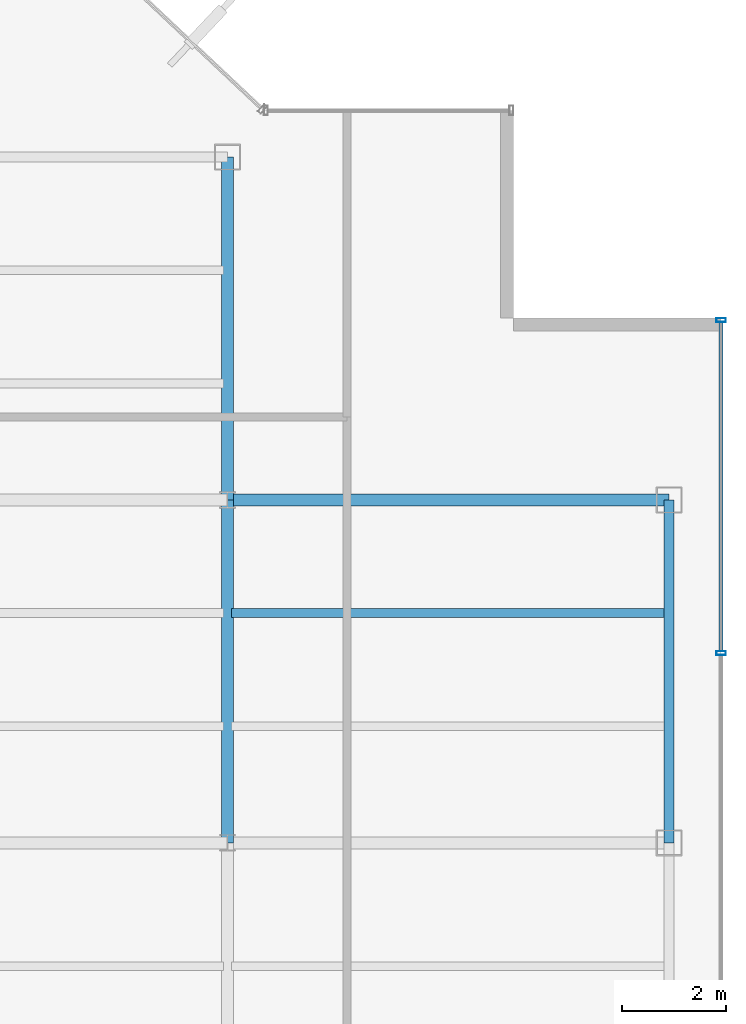
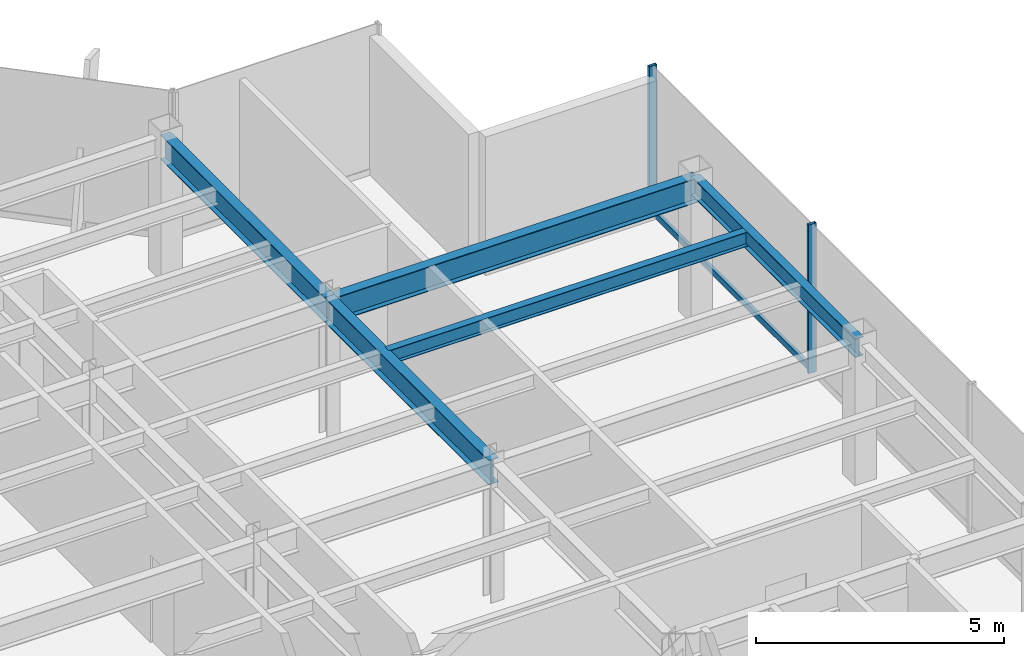
# One storey, part 11 of 22: 5 beams, 3 members, 1 element without a shape of its own.
"""IFC4 building model written with IfcOpenShell, lengths in metres."""

from ifc_helpers import new_model, si_unit, derived_unit, direction, frame, origin, origin_2d, place, context, subcontext, project, spatial, hollow_rectangle, i_section, extrude, source, transform, mapped, material, material_profile, profile_set, type_object, element, aggregate, save


model = new_model("IFC4")

# Units and contexts
model_context = context("Model", 3, precision=1e-05, world=origin(), true_north=direction((0.0, 1.0)))
body_context = subcontext(model_context, "Body", "Model", "MODEL_VIEW")
ifc_project = project(units=[si_unit("LENGTHUNIT", "METRE"), si_unit("AREAUNIT", "SQUARE_METRE"), si_unit("VOLUMEUNIT", "CUBIC_METRE"), si_unit("PLANEANGLEUNIT", "RADIAN"), si_unit("MASSUNIT", "GRAM", prefix="KILO"), derived_unit("THERMALTRANSMITTANCEUNIT", [(si_unit("POWERUNIT", "WATT"), 1), (si_unit("LENGTHUNIT", "METRE"), -2), (si_unit("THERMODYNAMICTEMPERATUREUNIT", "KELVIN"), -1)])], contexts=[model_context])

# Site, building, storey
site_placement = place(None, origin())
site = spatial("IfcSite", under=ifc_project, at=site_placement, CompositionType="ELEMENT")
building_placement = place(site_placement, origin())
building = spatial("IfcBuilding", under=site, at=building_placement, Name="Skarnbrae Concourse Arena and Tower", CompositionType="ELEMENT")
storey_placement = place(building_placement, frame((0.0, 0.0, 203.199951171875)))
storey = spatial("IfcBuildingStorey", under=building, at=storey_placement, Name="L52", CompositionType="ELEMENT", Elevation=203.199951171875)

# Beams
ifc_material_1 = material(Name="Steel CSA G40.21 350W", Category="steel")
ifc_material_profile_1 = material_profile(ifc_material_1, i_section(OverallWidth=0.22802734375, OverallDepth=0.60791015625, WebThickness=0.01123046875, FlangeThickness=0.017333984375, at=origin_2d()), Name="W610X113")
ifc_profile_set_1 = profile_set([ifc_material_profile_1], Name="Steel CSA G40.21 350W")
beam_type_1 = type_object("IfcBeamType", Name="BM-GIRD-W610X113", PredefinedType="BEAM", material=ifc_profile_set_1)
shared_shape_1 = source(origin(), body_context, "Body", "SweptSolid", [
    extrude(i_section(OverallWidth=0.22802734375, OverallDepth=0.60791015625, WebThickness=0.01123046875, FlangeThickness=0.017333984375, at=origin_2d()), origin(), (0.0, 0.0, 1.0), 6.60009765625),
])
beam_1_placement = place(storey_placement, frame((33.5, 21.199951171875, 3.095947265625), z_axis=(0.0, 1.0, 0.0), x_axis=(-1.0, 0.0, 0.0)))
element("IfcBeam", 1, at=beam_1_placement, inside=storey, type_object=beam_type_1, Name="L52 Primary N-S girder X33.5-2", PredefinedType="BEAM", context=body_context, shape_type="MappedRepresentation", body=[
    mapped(shared_shape_1, transform((0.0, 0.0, 0.0))),
])
shared_shape_2 = source(origin(), body_context, "Body", "SweptSolid", [
    extrude(i_section(OverallWidth=0.22802734375, OverallDepth=0.60791015625, WebThickness=0.01123046875, FlangeThickness=0.017333984375, at=origin_2d()), origin(), (0.0, 0.0, 1.0), 8.5),
])
beam_2_placement = place(storey_placement, frame((33.5, 27.800048828125, 3.095947265625), z_axis=(1.0, 0.0, 0.0), x_axis=(0.0, 1.0, 0.0)))
element("IfcBeam", 2, at=beam_2_placement, inside=storey, type_object=beam_type_1, Name="L52 Primary E-W girder Y27.8-6", PredefinedType="BEAM", context=body_context, shape_type="MappedRepresentation", body=[
    mapped(shared_shape_2, transform((0.0, 0.0, 0.0))),
])
ifc_material_profile_2 = material_profile(ifc_material_1, i_section(OverallWidth=0.19091796875, OverallDepth=0.4599609375, WebThickness=0.010009765625, FlangeThickness=0.01611328125, at=origin_2d()), Name="W460X82")
ifc_profile_set_2 = profile_set([ifc_material_profile_2], Name="Steel CSA G40.21 350W")
beam_type_2 = type_object("IfcBeamType", Name="BM-SPAN-W460X82", PredefinedType="SPANDREL", material=ifc_profile_set_2)
shared_shape_3 = source(origin(), body_context, "Body", "SweptSolid", [
    extrude(i_section(OverallWidth=0.19091796875, OverallDepth=0.4599609375, WebThickness=0.010009765625, FlangeThickness=0.01611328125, at=origin_2d()), origin(), (0.0, 0.0, 1.0), 6.60009765625),
])
beam_3_placement = place(storey_placement, frame((42.0, 21.199951171875, 3.170166015625), z_axis=(0.0, 1.0, 0.0), x_axis=(-1.0, 0.0, 0.0)))
element("IfcBeam", 3, at=beam_3_placement, inside=storey, type_object=beam_type_2, Name="L52 Perimeter spandrel X42.0-3", PredefinedType="SPANDREL", context=body_context, shape_type="MappedRepresentation", body=[
    mapped(shared_shape_3, transform((0.0, 0.0, 0.0))),
])
shared_shape_4 = source(origin(), body_context, "Body", "SweptSolid", [
    extrude(i_section(OverallWidth=0.22802734375, OverallDepth=0.60791015625, WebThickness=0.01123046875, FlangeThickness=0.017333984375, at=origin_2d()), origin(), (0.0, 0.0, 1.0), 6.599853515625),
])
beam_4_placement = place(storey_placement, frame((33.5, 27.800048828125, 3.095947265625), z_axis=(0.0, 1.0, 0.0), x_axis=(-1.0, 0.0, 0.0)))
element("IfcBeam", 4, at=beam_4_placement, inside=storey, type_object=beam_type_1, Name="L52 Primary N-S girder X33.5-3", PredefinedType="BEAM", context=body_context, shape_type="MappedRepresentation", body=[
    mapped(shared_shape_4, transform((0.0, 0.0, 0.0))),
])
ifc_material_profile_3 = material_profile(ifc_material_1, i_section(OverallWidth=0.1708984375, OverallDepth=0.35498046875, WebThickness=0.007080078125, FlangeThickness=0.01171875, at=origin_2d()), Name="W360X51")
ifc_profile_set_3 = profile_set([ifc_material_profile_3], Name="Steel CSA G40.21 350W")
beam_type_3 = type_object("IfcBeamType", Name="BM-JOIST-W360X51", PredefinedType="JOIST", material=ifc_profile_set_3)
shared_shape_5 = source(origin(), body_context, "Body", "SweptSolid", [
    extrude(i_section(OverallWidth=0.1708984375, OverallDepth=0.35498046875, WebThickness=0.007080078125, FlangeThickness=0.01171875, at=origin_2d()), origin(), (0.0, 0.0, 1.0), 8.33984375),
])
beam_5_placement = place(storey_placement, frame((33.580078125, 25.6220703125, 3.22265625), z_axis=(1.0, 0.0, 0.0), x_axis=(0.0, 1.0, 0.0)))
element("IfcBeam", 5, at=beam_5_placement, inside=storey, type_object=beam_type_3, Name="L52 Secondary floor joist 2.2.6", PredefinedType="JOIST", context=body_context, shape_type="MappedRepresentation", body=[
    mapped(shared_shape_5, transform((0.0, 0.0, 0.0))),
])

# Curtain wall, members
ifc_material_2 = material(Name="Bronze anodised aluminium 6063-T6", Category="aluminium")
curtain_wall_type = type_object("IfcCurtainWallType", Name="CW-SYS-05-HIGHZONE", PredefinedType="USERDEFINED", material=ifc_material_2)
curtain_wall_placement = place(storey_placement, origin())
curtain_wall = element("IfcCurtainWall", 6, at=curtain_wall_placement, inside=storey, type_object=curtain_wall_type, Name="L52 Unitised curtain wall CW-L52-E04", ObjectType="UNITISED CURTAIN WALL", PredefinedType="USERDEFINED")
ifc_material_profile_4 = material_profile(ifc_material_2, hollow_rectangle(XDim=0.074951171875, YDim=0.14990234375, WallThickness=0.00390625, at=origin_2d()), Name="ALU-TRAN-75X150")
ifc_profile_set_4 = profile_set([ifc_material_profile_4], Name="Bronze anodised aluminium 6063-T6")
member_type_1 = type_object("IfcMemberType", Name="CWT-CW-05", PredefinedType="USERDEFINED", material=ifc_profile_set_4)
shared_shape_6 = source(origin(), body_context, "Body", "SweptSolid", [
    extrude(hollow_rectangle(XDim=0.074951171875, YDim=0.14990234375, WallThickness=0.00390625, at=origin_2d()), origin(), (0.0, 0.0, 1.0), 6.337646484375),
])
member_1_placement = place(storey_placement, frame((43.0, 24.887451171875, 0.074951171875), z_axis=(0.0, 1.0, 0.0), x_axis=(-1.0, 0.0, 0.0)))
member_1 = element("IfcMember", 7, at=member_1_placement, type_object=member_type_1, Name="CW-L52-E04 Transom 4", ObjectType="TRANSOM", PredefinedType="USERDEFINED", context=body_context, shape_type="MappedRepresentation", body=[
    mapped(shared_shape_6, transform((0.0, 0.0, 0.0))),
])
ifc_material_profile_5 = material_profile(ifc_material_2, hollow_rectangle(XDim=0.074951171875, YDim=0.179931640625, WallThickness=0.00390625, at=origin_2d()), Name="ALU-MULL-75X180")
ifc_profile_set_5 = profile_set([ifc_material_profile_5], Name="Bronze anodised aluminium 6063-T6")
member_type_2 = type_object("IfcMemberType", Name="CWM-CW-05", PredefinedType="MULLION", material=ifc_profile_set_5)
shared_shape_7 = source(origin(), body_context, "Body", "SweptSolid", [
    extrude(hollow_rectangle(XDim=0.074951171875, YDim=0.179931640625, WallThickness=0.00390625, at=origin_2d()), origin(), (0.0, 0.0, 1.0), 3.650146484375),
])
member_2_placement = place(storey_placement, frame((43.0, 24.85009765625, 0.0), z_axis=(0.0, 0.0, 1.0), x_axis=(0.0, 1.0, 0.0)))
member_2 = element("IfcMember", 8, at=member_2_placement, type_object=member_type_2, Name="CW-L52-E04 Mullion 4", PredefinedType="MULLION", context=body_context, shape_type="MappedRepresentation", body=[
    mapped(shared_shape_7, transform((0.0, 0.0, 0.0))),
])
member_3_placement = place(storey_placement, frame((43.0, 31.262451171875, 0.0), z_axis=(0.0, 0.0, 1.0), x_axis=(0.0, 1.0, 0.0)))
member_3 = element("IfcMember", 9, at=member_3_placement, type_object=member_type_2, Name="CW-L52-E04 Mullion 5", PredefinedType="MULLION", context=body_context, shape_type="MappedRepresentation", body=[
    mapped(shared_shape_7, transform((0.0, 0.0, 0.0))),
])
aggregate(curtain_wall, [member_2, member_3, member_1])

save(model, "model.ifc")
